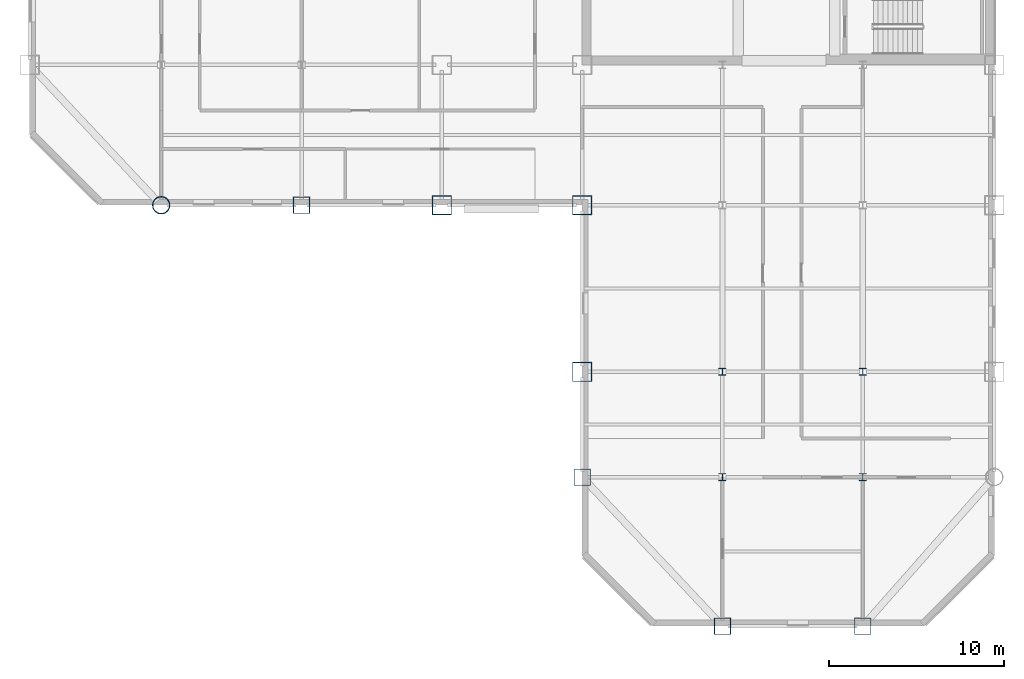
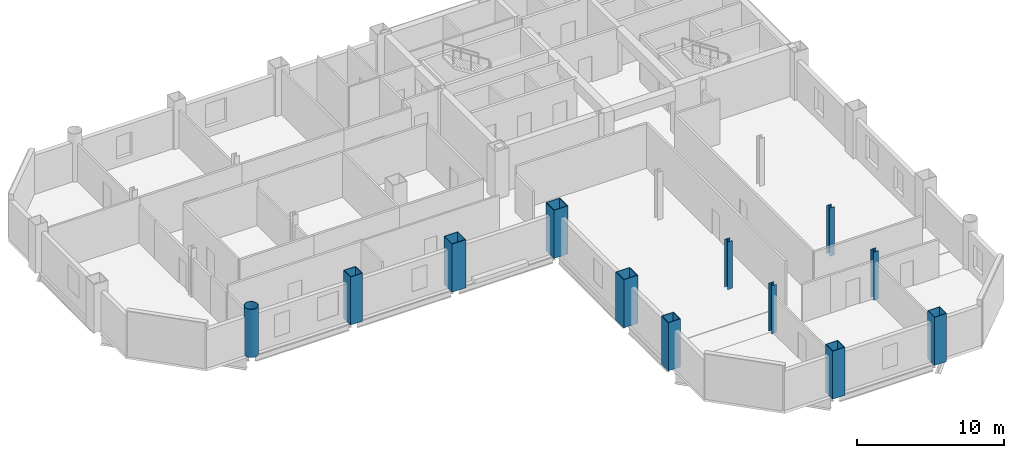
# One storey, part 1 of 10: 12 columns.
"""IFC4 building model written with IfcOpenShell, lengths in metres."""

import ifcopenshell
import ifcopenshell.guid

model = None  # the IFC model being written
_history = None  # IfcOwnerHistory: only IFC2X3 demands one
_inside = {}  # id of a spatial element -> (the spatial element, [elements in it])
_under = {}  # id of a project, library or spatial element -> (it, [spatial elements below it])
_declared = {}  # id of a project -> (the project, [libraries it declares])
_typed = {}  # id of a type object -> (the type object, [elements of that type])
_made_of = {}  # id of a material, layer set ... -> (it, [elements and type objects made of it])


def new_model(schema):
    """Start an empty IFC model of exactly this schema.

    Asked for "IFC4X3", IfcOpenShell would pick the latest addendum, in which some entities
    have other attributes; the version numbers below select the first issue.
    IFC2X3 requires an IfcOwnerHistory on every rooted entity: one is made here for all.
    """
    global model, _history
    if schema == "IFC4X3":
        model = ifcopenshell.file(schema_version=(4, 3, 0, 0))
    else:
        model = ifcopenshell.file(schema=schema)
    _inside.clear()
    _under.clear()
    _declared.clear()
    _typed.clear()
    _made_of.clear()
    _history = None
    if model.schema == "IFC2X3":
        org = make("IfcOrganization", Name="unknown")
        user = make(
            "IfcPersonAndOrganization",
            ThePerson=make("IfcPerson", FamilyName="unknown"),
            TheOrganization=org,
        )
        app = make(
            "IfcApplication",
            ApplicationDeveloper=org,
            Version="unknown",
            ApplicationFullName="unknown",
            ApplicationIdentifier="unknown",
        )
        _history = make(
            "IfcOwnerHistory",
            OwningUser=user,
            OwningApplication=app,
            ChangeAction="ADDED",
            CreationDate=0,
        )
    return model


def make(cls, **values):
    """One entity of the class cls with the attributes given. An attribute that is None is left unset."""
    return model.create_entity(
        cls, **{name: value for name, value in values.items() if value is not None}
    )


def rooted(cls, **values):
    """An entity with a GlobalId (a new one), such as an element, a storey or a relation."""
    return make(cls, GlobalId=ifcopenshell.guid.new(), OwnerHistory=_history, **values)


def si_unit(unit_type, name, prefix=None):
    """IfcSIUnit, for example si_unit("LENGTHUNIT", "METRE", prefix="MILLI")."""
    return make("IfcSIUnit", UnitType=unit_type, Prefix=prefix, Name=name)


def assignment(units):
    """IfcUnitAssignment: the units of a project."""
    return None if units is None else make("IfcUnitAssignment", Units=units)


def point(xyz):
    """IfcCartesianPoint."""
    return None if xyz is None else make("IfcCartesianPoint", Coordinates=xyz)


def direction(xyz):
    """IfcDirection."""
    return None if xyz is None else make("IfcDirection", DirectionRatios=xyz)


def frame(location, z_axis=None, x_axis=None):
    """IfcAxis2Placement3D, a coordinate frame: its origin and axes. An axis left out is left unset."""
    return make(
        "IfcAxis2Placement3D",
        Location=point(location),
        Axis=direction(z_axis),
        RefDirection=direction(x_axis),
    )


def frame_2d(location, x_axis=None):
    """IfcAxis2Placement2D, a coordinate frame in the plane: its origin and x axis."""
    return make(
        "IfcAxis2Placement2D", Location=point(location), RefDirection=direction(x_axis)
    )


def origin():
    """The frame at (0, 0, 0) with its axes left unset."""
    return frame((0.0, 0.0, 0.0))


def origin_2d():
    """The frame at (0, 0) in the plane with its x axis left unset."""
    return frame_2d((0.0, 0.0))


def place(relative_to, where):
    """IfcLocalPlacement: puts the frame where relative to a parent placement (None: the world)."""
    return make(
        "IfcLocalPlacement", PlacementRelTo=relative_to, RelativePlacement=where
    )


def context(
    kind, dimensions, precision=None, world=None, true_north=None, identifier=None
):
    """IfcGeometricRepresentationContext, for example the 3D "Model" context."""
    return make(
        "IfcGeometricRepresentationContext",
        ContextIdentifier=identifier,
        ContextType=kind,
        CoordinateSpaceDimension=dimensions,
        Precision=precision,
        WorldCoordinateSystem=world,
        TrueNorth=true_north,
    )


def subcontext(parent, identifier, kind, view, scale=None):
    """IfcGeometricRepresentationSubContext, for example "Body" below "Model"."""
    return make(
        "IfcGeometricRepresentationSubContext",
        ContextIdentifier=identifier,
        ContextType=kind,
        ParentContext=parent,
        TargetScale=scale,
        TargetView=view,
    )


def project(units=None, contexts=None):
    """IfcProject with its units and contexts."""
    return rooted(
        "IfcProject",
        Name="project",
        RepresentationContexts=contexts,
        UnitsInContext=assignment(units),
    )


def spatial(cls, under=None, at=None, **own):
    """A site, building, storey or space (cls), placed at a placement, below another one or the project."""
    s = rooted(cls, ObjectPlacement=at, **own)
    if under is not None:
        _under.setdefault(under.id(), (under, []))[1].append(s)
    return s


def profile(cls, at=None, kind="AREA", **sizes):
    """A parametric profile (cls). Its sizes go by their IFC names, for example OverallWidth=200.0."""
    return make(cls, ProfileType=kind, Position=at, **sizes)


def hollow_rectangle(**sizes):
    """IfcRectangleHollowProfileDef."""
    return profile("IfcRectangleHollowProfileDef", **sizes)


def hollow_circle(**sizes):
    """IfcCircleHollowProfileDef."""
    return profile("IfcCircleHollowProfileDef", **sizes)


def i_section(**sizes):
    """IfcIShapeProfileDef."""
    return profile("IfcIShapeProfileDef", **sizes)


def extrude(swept, where, along, depth):
    """IfcExtrudedAreaSolid: the profile swept, set in the frame where, extruded along a direction by depth."""
    return make(
        "IfcExtrudedAreaSolid",
        SweptArea=swept,
        Position=where,
        ExtrudedDirection=direction(along),
        Depth=depth,
    )


def shape(context_of_items, identifier, shape_type, items):
    """IfcShapeRepresentation: the items that make up one representation, for example the "Body"."""
    return make(
        "IfcShapeRepresentation",
        ContextOfItems=context_of_items,
        RepresentationIdentifier=identifier,
        RepresentationType=shape_type,
        Items=items,
    )


def material(Name=None, Category=None):
    """IfcMaterial."""
    return make("IfcMaterial", Name=Name, Category=Category)


def material_profile(
    of_material, cross_section, Name=None, Category=None, Priority=None
):
    """IfcMaterialProfile: a cross section and its material."""
    return make(
        "IfcMaterialProfile",
        Name=Name,
        Material=of_material,
        Profile=cross_section,
        Priority=Priority,
        Category=Category,
    )


def profile_set(profiles, Name=None, composite=None):
    """IfcMaterialProfileSet."""
    return make(
        "IfcMaterialProfileSet",
        Name=Name,
        MaterialProfiles=profiles,
        CompositeProfile=composite,
    )


def made_of(thing, what):
    """Note that an element or type object is made of a material, layer set ...; save() writes the relation."""
    if what is not None:
        _made_of.setdefault(what.id(), (what, []))[1].append(thing)
    return thing


def type_object(cls, material=None, **own):
    """A type object (cls), such as IfcWallType, which elements share."""
    return made_of(rooted(cls, **own), material)


def element(
    cls,
    number,
    at=None,
    inside=None,
    cuts=None,
    type_object=None,
    material=None,
    context=None,
    identifier="Body",
    shape_type=None,
    held_by="IfcProductDefinitionShape",
    body=None,
    shapes=None,
    **own,
):
    """One element of the class cls, such as IfcWall. Its Tag is "e" and its number.

    at: its placement. inside: the storey or other place that contains it. cuts: it is an
    opening in that element (IfcRelVoidsElement). A single representation is given by context,
    identifier, shape_type and body (its items); several are given by shapes. held_by: the class
    of the entity that holds the representations. save() writes the other relations.
    """
    e = rooted(cls, Tag="e%d" % number, ObjectPlacement=at, **own)
    if body is not None:
        shapes = [shape(context, identifier, shape_type, body)]
    if shapes is not None:
        e.Representation = make(held_by, Representations=shapes)
    if inside is not None:
        _inside.setdefault(inside.id(), (inside, []))[1].append(e)
    if cuts is not None:
        rooted(
            "IfcRelVoidsElement", RelatingBuildingElement=cuts, RelatedOpeningElement=e
        )
    if type_object is not None:
        _typed.setdefault(type_object.id(), (type_object, []))[1].append(e)
    return made_of(e, material)


def aggregate(whole, parts):
    """IfcRelAggregates: a whole, such as a stair, and the parts it consists of."""
    return rooted("IfcRelAggregates", RelatingObject=whole, RelatedObjects=parts)


def save(model, path):
    """Write the relations noted so far, then the file.

    IfcRelAggregates (storeys below a building ...), IfcRelContainedInSpatialStructure (elements
    in a storey), IfcRelDefinesByType, IfcRelAssociatesMaterial and IfcRelDeclares: one each for
    every whole, place, type object, material and project.
    """
    for whole, parts in _under.values():
        aggregate(whole, parts)
    for where, things in _inside.values():
        rooted(
            "IfcRelContainedInSpatialStructure",
            RelatedElements=things,
            RelatingStructure=where,
        )
    for kind, things in _typed.values():
        rooted("IfcRelDefinesByType", RelatedObjects=things, RelatingType=kind)
    for what, things in _made_of.values():
        rooted("IfcRelAssociatesMaterial", RelatedObjects=things, RelatingMaterial=what)
    for by, libraries in _declared.values():
        rooted("IfcRelDeclares", RelatingContext=by, RelatedDefinitions=libraries)
    model.write(path)


model = new_model("IFC4")

# Units and contexts
model_context = context("Model", 3, precision=1e-05, world=origin(), true_north=direction((0.0, 1.0)))
body_context = subcontext(model_context, "Body", "Model", "MODEL_VIEW")
ifc_project = project(units=[si_unit("LENGTHUNIT", "METRE"), si_unit("AREAUNIT", "SQUARE_METRE"), si_unit("VOLUMEUNIT", "CUBIC_METRE"), si_unit("PLANEANGLEUNIT", "RADIAN"), si_unit("MASSUNIT", "GRAM", prefix="KILO")], contexts=[model_context])

# Site, building, storey
site_placement = place(None, origin())
site = spatial("IfcSite", under=ifc_project, at=site_placement, CompositionType="ELEMENT")
building_placement = place(site_placement, origin())
building = spatial("IfcBuilding", under=site, at=building_placement, Name="Qianrong Seaharbour Tower", CompositionType="ELEMENT")
storey_placement = place(building_placement, frame((0.0, 0.0, 135.0)))
storey = spatial("IfcBuildingStorey", under=building, at=storey_placement, Name="L32", CompositionType="ELEMENT", Elevation=135.0)

# Columns
ifc_material = material(Name="Structural steel SN490B", Category="steel")
ifc_material_profile_1 = material_profile(ifc_material, hollow_rectangle(XDim=1.10009765625, YDim=1.10009765625, WallThickness=0.0400390625, at=origin_2d()), Name="BOX1100x1100x40")
ifc_profile_set_1 = profile_set([ifc_material_profile_1], Name="Structural steel SN490B")
column_type_1 = type_object("IfcColumnType", Name="COL-CFT-1100", PredefinedType="COLUMN", material=ifc_profile_set_1)
for number, where, z_axis, x_axis, name in (
    (1, (32.5, 28.0, 0.0), (0.0, 0.0, 1.0), (1.0, 0.0, 0.0), "L32 Column MC-3 at G5/GE"),
    (2, (40.5, 18.5, 0.0), (0.0, 0.0, 1.0), (1.0, 0.0, 0.0), "L32 Column MC-3 at G6/GD"),
    (3, (40.5, 28.0, 0.0), (0.0, 0.0, 1.0), (1.0, 0.0, 0.0), "L32 Column MC-3 at G6/GE"),
):
    element("IfcColumn", number, at=place(storey_placement, frame(where, z_axis=z_axis, x_axis=x_axis)), inside=storey, type_object=column_type_1, Name=name, PredefinedType="COLUMN", context=body_context, shape_type="SweptSolid", body=[
        extrude(hollow_rectangle(XDim=1.10009765625, YDim=1.10009765625, WallThickness=0.0400390625, at=origin_2d()), origin(), (0.0, 0.0, 1.0), 4.0),
    ])
ifc_material_profile_2 = material_profile(ifc_material, hollow_circle(Radius=0.5, WallThickness=0.035888671875, at=origin_2d()), Name="CHS1000x36")
ifc_profile_set_2 = profile_set([ifc_material_profile_2], Name="Structural steel SN490B")
column_type_2 = type_object("IfcColumnType", Name="COL-CHS-1000", PredefinedType="COLUMN", material=ifc_profile_set_2)
column_placement = place(storey_placement, frame((16.5, 28.0, 0.0), z_axis=(0.0, 0.0, 1.0), x_axis=(1.0, 0.0, 0.0)))
element("IfcColumn", 4, at=column_placement, inside=storey, type_object=column_type_2, Name="L32 Column CC-2 at G3/GE", PredefinedType="COLUMN", context=body_context, shape_type="SweptSolid", body=[
    extrude(hollow_circle(Radius=0.5, WallThickness=0.035888671875, at=origin_2d()), origin(), (0.0, 0.0, 1.0), 4.0),
])
ifc_material_profile_3 = material_profile(ifc_material, i_section(OverallWidth=0.39990234375, OverallDepth=0.39990234375, WebThickness=0.012939453125, FlangeThickness=0.02099609375, FilletRadius=0.02197265625, at=origin_2d()), Name="H400x400x13x21")
ifc_profile_set_3 = profile_set([ifc_material_profile_3], Name="Structural steel SN490B")
column_type_3 = type_object("IfcColumnType", Name="COL-INT-H400", PredefinedType="COLUMN", material=ifc_profile_set_3)
for number, where, z_axis, x_axis, name in (
    (5, (48.5, 12.5, 0.0), (0.0, 0.0, 1.0), (1.0, 0.0, 0.0), "L32 Column IC-3 at G7/GC"),
    (6, (48.5, 18.5, 0.0), (0.0, 0.0, 1.0), (1.0, 0.0, 0.0), "L32 Column IC-3 at G7/GD"),
    (7, (56.5, 12.5, 0.0), (0.0, 0.0, 1.0), (1.0, 0.0, 0.0), "L32 Column IC-3 at G8/GC"),
    (8, (56.5, 18.5, 0.0), (0.0, 0.0, 1.0), (1.0, 0.0, 0.0), "L32 Column IC-3 at G8/GD"),
):
    element("IfcColumn", number, at=place(storey_placement, frame(where, z_axis=z_axis, x_axis=x_axis)), inside=storey, type_object=column_type_3, Name=name, PredefinedType="COLUMN", context=body_context, shape_type="SweptSolid", body=[
        extrude(i_section(OverallWidth=0.39990234375, OverallDepth=0.39990234375, WebThickness=0.012939453125, FlangeThickness=0.02099609375, FilletRadius=0.02197265625, at=origin_2d()), origin(), (0.0, 0.0, 1.0), 4.0),
    ])
ifc_material_profile_4 = material_profile(ifc_material, hollow_rectangle(XDim=0.949951171875, YDim=0.949951171875, WallThickness=0.035888671875, at=origin_2d()), Name="BOX950x950x36")
ifc_profile_set_4 = profile_set([ifc_material_profile_4], Name="Structural steel SN490B")
column_type_4 = type_object("IfcColumnType", Name="COL-PER-950", PredefinedType="COLUMN", material=ifc_profile_set_4)
for number, where, z_axis, x_axis, name in (
    (9, (24.5, 28.0, 0.0), (0.0, 0.0, 1.0), (1.0, 0.0, 0.0), "L32 Column PC-2 at G4/GE"),
    (10, (40.5, 12.5, 0.0), (0.0, 0.0, 1.0), (1.0, 0.0, 0.0), "L32 Column PC-2 at G6/GC"),
    (11, (48.5, 4.0, 0.0), (0.0, 0.0, 1.0), (1.0, 0.0, 0.0), "L32 Column PC-2 at G7/GB"),
    (12, (56.5, 4.0, 0.0), (0.0, 0.0, 1.0), (1.0, 0.0, 0.0), "L32 Column PC-2 at G8/GB"),
):
    element("IfcColumn", number, at=place(storey_placement, frame(where, z_axis=z_axis, x_axis=x_axis)), inside=storey, type_object=column_type_4, Name=name, PredefinedType="COLUMN", context=body_context, shape_type="SweptSolid", body=[
        extrude(hollow_rectangle(XDim=0.949951171875, YDim=0.949951171875, WallThickness=0.035888671875, at=origin_2d()), origin(), (0.0, 0.0, 1.0), 4.0),
    ])

save(model, "model.ifc")
